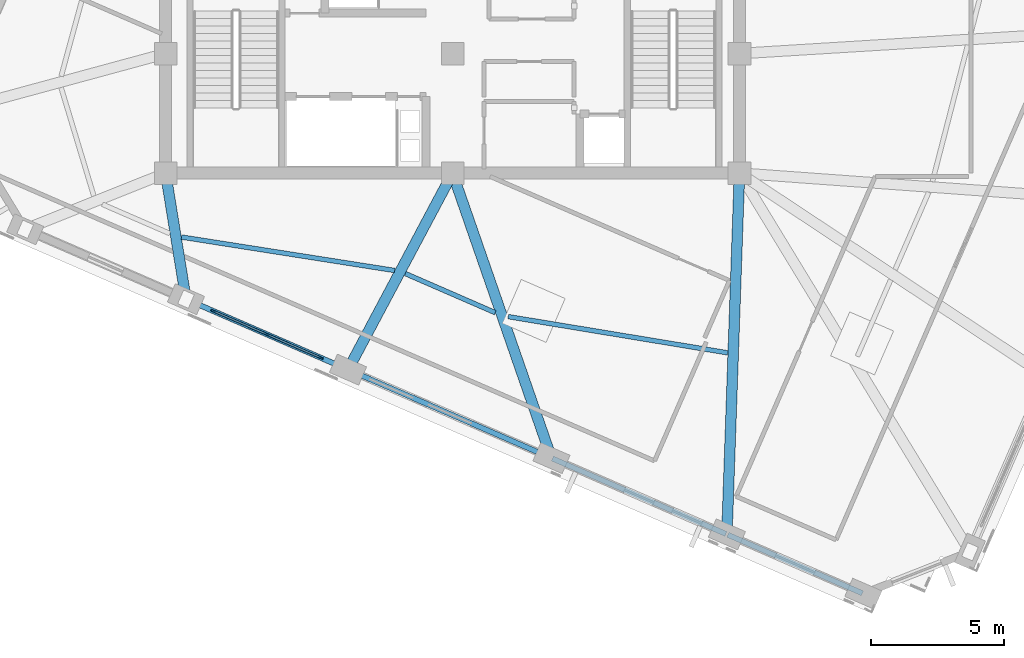
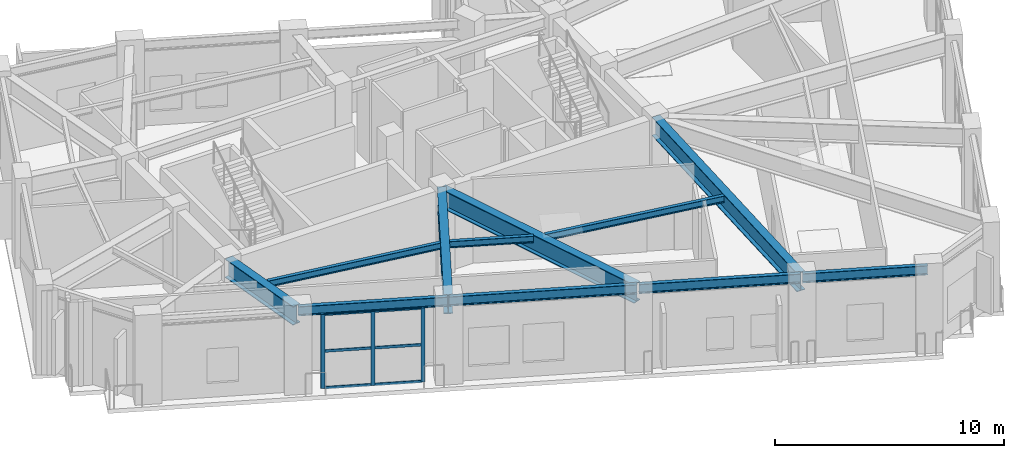
# One storey, part 2 of 16: 11 beams, 9 members, 1 element without a shape of its own.
"""IFC4 building model written with IfcOpenShell, lengths in metres."""

from ifc_helpers import new_model, si_unit, direction, frame, origin, origin_2d, place, context, subcontext, project, spatial, rectangle, i_section, extrude, material, material_profile, profile_set, type_object, element, aggregate, save


model = new_model("IFC4")

# Units and contexts
model_context = context("Model", 3, precision=1e-05, world=origin(), true_north=direction((0.0, 1.0)))
body_context = subcontext(model_context, "Body", "Model", "MODEL_VIEW")
ifc_project = project(units=[si_unit("LENGTHUNIT", "METRE"), si_unit("AREAUNIT", "SQUARE_METRE"), si_unit("VOLUMEUNIT", "CUBIC_METRE"), si_unit("PLANEANGLEUNIT", "RADIAN"), si_unit("MASSUNIT", "GRAM", prefix="KILO")], contexts=[model_context])

# Site, building, storey
site_placement = place(None, origin())
site = spatial("IfcSite", under=ifc_project, at=site_placement, CompositionType="ELEMENT")
building_placement = place(site_placement, origin())
building = spatial("IfcBuilding", under=site, at=building_placement, Name="Gaonmaruhae Medical Tower", CompositionType="ELEMENT")
storey_placement = place(building_placement, frame((0.0, 0.0, 333.39990234375)))
storey = spatial("IfcBuildingStorey", under=building, at=storey_placement, Name="L80", CompositionType="ELEMENT", Elevation=333.39990234375)

# Beams
ifc_material_1 = material(Name="Steel SM420", Category="steel")
ifc_material_profile_1 = material_profile(ifc_material_1, i_section(OverallWidth=0.39990234375, OverallDepth=1.0, WebThickness=0.02197265625, FlangeThickness=0.035888671875, at=origin_2d()), Name="BH-1000x400x22x36")
ifc_profile_set_1 = profile_set([ifc_material_profile_1], Name="Steel SM420")
beam_type_1 = type_object("IfcBeamType", Name="BG-02 Refuge Floor Primary Girder (BH-1000x400x22x36)", PredefinedType="BEAM", material=ifc_profile_set_1)
beam_1_placement = place(storey_placement, frame((14.008056640625, 7.750732421875, 4.0), z_axis=(0.159685869984, -0.987167879809, 0.0), x_axis=(0.987167879809, 0.159685869984, 0.0)))
element("IfcBeam", 1, at=beam_1_placement, inside=storey, type_object=beam_type_1, Name="L80 Radial Primary Girder W02", PredefinedType="BEAM", context=body_context, shape_type="SweptSolid", body=[
    extrude(i_section(OverallWidth=0.39990234375, OverallDepth=1.0, WebThickness=0.02197265625, FlangeThickness=0.035888671875, at=origin_2d()), origin(), (0.0, 0.0, 1.0), 4.705810546875),
])
beam_2_placement = place(storey_placement, frame((24.776611328125, 7.755859375, 4.0), z_axis=(-0.469618843189, -0.882869266722, 0.0), x_axis=(0.882869266722, -0.469618843189, 0.0)))
element("IfcBeam", 2, at=beam_2_placement, inside=storey, type_object=beam_type_1, Name="L80 Radial Primary Girder W03", PredefinedType="BEAM", context=body_context, shape_type="SweptSolid", body=[
    extrude(i_section(OverallWidth=0.39990234375, OverallDepth=1.0, WebThickness=0.02197265625, FlangeThickness=0.035888671875, at=origin_2d()), origin(), (0.0, 0.0, 1.0), 8.27685546875),
])
beam_3_placement = place(storey_placement, frame((24.81640625, 7.752685546875, 4.0), z_axis=(0.327964362011, -0.944690095878, 0.0), x_axis=(0.944690095878, 0.327964362011, 0.0)))
element("IfcBeam", 3, at=beam_3_placement, inside=storey, type_object=beam_type_1, Name="L80 Radial Primary Girder W04", PredefinedType="BEAM", context=body_context, shape_type="SweptSolid", body=[
    extrude(i_section(OverallWidth=0.39990234375, OverallDepth=1.0, WebThickness=0.02197265625, FlangeThickness=0.035888671875, at=origin_2d()), origin(), (0.0, 0.0, 1.0), 11.253173828125),
])
beam_4_placement = place(storey_placement, frame((35.59814453125, 7.75, 4.0), z_axis=(-0.034800997703, -0.99939426182, 0.0), x_axis=(0.99939426182, -0.034800997703, 0.0)))
element("IfcBeam", 4, at=beam_4_placement, inside=storey, type_object=beam_type_1, Name="L80 Radial Primary Girder W05", PredefinedType="BEAM", context=body_context, shape_type="SweptSolid", body=[
    extrude(i_section(OverallWidth=0.39990234375, OverallDepth=1.0, WebThickness=0.02197265625, FlangeThickness=0.035888671875, at=origin_2d()), origin(), (0.0, 0.0, 1.0), 13.504638671875),
])

# Curtain wall, members
ifc_material_2 = material(Name="Anodised aluminium and Low-E double glazing", Category="aluminium")
curtain_wall_type = type_object("IfcCurtainWallType", Name="CW-S5 Observation Crown Panorama Curtain Wall", PredefinedType="NOTDEFINED", material=ifc_material_2)
curtain_wall_placement = place(storey_placement, origin())
curtain_wall = element("IfcCurtainWall", 5, at=curtain_wall_placement, inside=storey, type_object=curtain_wall_type, Name="L80 Curtain Wall CW-L80-W02", PredefinedType="NOTDEFINED")
ifc_material_3 = material(Name="Anodised aluminium 6063-T6", Category="aluminium")
ifc_material_profile_2 = material_profile(ifc_material_3, rectangle(XDim=0.06494140625, YDim=0.179931640625, at=origin_2d()), Name="CWM-65x180")
ifc_profile_set_2 = profile_set([ifc_material_profile_2], Name="Anodised aluminium 6063-T6")
member_type_1 = type_object("IfcMemberType", Name="CWM-2 Tower Feature Curtain Wall Mullion (CWM-65x180)", PredefinedType="MULLION", material=ifc_profile_set_2)
member_1_placement = place(storey_placement, frame((19.8388671875, 0.850830078125, 0.0), z_axis=(0.0, 0.0, 1.0), x_axis=(-0.398760431066, -0.917055133902, 0.0)))
member_1 = element("IfcMember", 6, at=member_1_placement, type_object=member_type_1, Name="CW-S5 mullion 1", PredefinedType="MULLION", context=body_context, shape_type="SweptSolid", body=[
    extrude(rectangle(XDim=0.06494140625, YDim=0.179931640625, at=origin_2d()), origin(), (0.0, 0.0, 1.0), 3.985107421875),
])
member_2_placement = place(storey_placement, frame((17.81689453125, 1.72998046875, 0.0), z_axis=(0.0, 0.0, 1.0), x_axis=(-0.398760431066, -0.917055133902, 0.0)))
member_2 = element("IfcMember", 7, at=member_2_placement, type_object=member_type_1, Name="CW-S5 mullion 2", PredefinedType="MULLION", context=body_context, shape_type="SweptSolid", body=[
    extrude(rectangle(XDim=0.06494140625, YDim=0.179931640625, at=origin_2d()), origin(), (0.0, 0.0, 1.0), 3.985107421875),
])
member_3_placement = place(storey_placement, frame((15.794921875, 2.609375, 0.0), z_axis=(0.0, 0.0, 1.0), x_axis=(-0.398760431066, -0.917055133902, 0.0)))
member_3 = element("IfcMember", 8, at=member_3_placement, type_object=member_type_1, Name="CW-S5 mullion 3", PredefinedType="MULLION", context=body_context, shape_type="SweptSolid", body=[
    extrude(rectangle(XDim=0.06494140625, YDim=0.179931640625, at=origin_2d()), origin(), (0.0, 0.0, 1.0), 3.985107421875),
])
ifc_material_profile_3 = material_profile(ifc_material_3, rectangle(XDim=0.06494140625, YDim=0.139892578125, at=origin_2d()), Name="CWT-65x140")
ifc_profile_set_3 = profile_set([ifc_material_profile_3], Name="Anodised aluminium 6063-T6")
member_type_2 = type_object("IfcMemberType", Name="CWT-2 Tower Feature Curtain Wall Transom (CWT-65x140)", PredefinedType="USERDEFINED", material=ifc_profile_set_3)
member_4_placement = place(storey_placement, frame((19.80908203125, 0.86376953125, 0.03271484375), z_axis=(-0.917060986804, 0.3987469705, 0.0), x_axis=(-0.3987469705, -0.917060986804, 0.0)))
member_4 = element("IfcMember", 9, at=member_4_placement, type_object=member_type_2, Name="CW-S5 transom 1.1", ObjectType="TRANSOM", PredefinedType="USERDEFINED", context=body_context, shape_type="SweptSolid", body=[
    extrude(rectangle(XDim=0.06494140625, YDim=0.139892578125, at=origin_2d()), origin(), (0.0, 0.0, 1.0), 2.139892578125),
])
member_5_placement = place(storey_placement, frame((19.80908203125, 0.86376953125, 1.99267578125), z_axis=(-0.917060986804, 0.3987469705, 0.0), x_axis=(-0.3987469705, -0.917060986804, 0.0)))
member_5 = element("IfcMember", 10, at=member_5_placement, type_object=member_type_2, Name="CW-S5 transom 1.2", ObjectType="TRANSOM", PredefinedType="USERDEFINED", context=body_context, shape_type="SweptSolid", body=[
    extrude(rectangle(XDim=0.06494140625, YDim=0.139892578125, at=origin_2d()), origin(), (0.0, 0.0, 1.0), 2.139892578125),
])
member_6_placement = place(storey_placement, frame((19.80908203125, 0.86376953125, 3.95263671875), z_axis=(-0.917060986804, 0.3987469705, 0.0), x_axis=(-0.3987469705, -0.917060986804, 0.0)))
member_6 = element("IfcMember", 11, at=member_6_placement, type_object=member_type_2, Name="CW-S5 transom 1.3", ObjectType="TRANSOM", PredefinedType="USERDEFINED", context=body_context, shape_type="SweptSolid", body=[
    extrude(rectangle(XDim=0.06494140625, YDim=0.139892578125, at=origin_2d()), origin(), (0.0, 0.0, 1.0), 2.139892578125),
])
member_7_placement = place(storey_placement, frame((17.787109375, 1.7431640625, 0.03271484375), z_axis=(-0.917060986804, 0.3987469705, 0.0), x_axis=(-0.3987469705, -0.917060986804, 0.0)))
member_7 = element("IfcMember", 12, at=member_7_placement, type_object=member_type_2, Name="CW-S5 transom 2.1", ObjectType="TRANSOM", PredefinedType="USERDEFINED", context=body_context, shape_type="SweptSolid", body=[
    extrude(rectangle(XDim=0.06494140625, YDim=0.139892578125, at=origin_2d()), origin(), (0.0, 0.0, 1.0), 2.139892578125),
])
member_8_placement = place(storey_placement, frame((17.787109375, 1.7431640625, 1.99267578125), z_axis=(-0.917060986804, 0.3987469705, 0.0), x_axis=(-0.3987469705, -0.917060986804, 0.0)))
member_8 = element("IfcMember", 13, at=member_8_placement, type_object=member_type_2, Name="CW-S5 transom 2.2", ObjectType="TRANSOM", PredefinedType="USERDEFINED", context=body_context, shape_type="SweptSolid", body=[
    extrude(rectangle(XDim=0.06494140625, YDim=0.139892578125, at=origin_2d()), origin(), (0.0, 0.0, 1.0), 2.139892578125),
])
member_9_placement = place(storey_placement, frame((17.787109375, 1.7431640625, 3.95263671875), z_axis=(-0.917060986804, 0.3987469705, 0.0), x_axis=(-0.3987469705, -0.917060986804, 0.0)))
member_9 = element("IfcMember", 14, at=member_9_placement, type_object=member_type_2, Name="CW-S5 transom 2.3", ObjectType="TRANSOM", PredefinedType="USERDEFINED", context=body_context, shape_type="SweptSolid", body=[
    extrude(rectangle(XDim=0.06494140625, YDim=0.139892578125, at=origin_2d()), origin(), (0.0, 0.0, 1.0), 2.139892578125),
])
aggregate(curtain_wall, [member_1, member_2, member_3, member_4, member_5, member_6, member_7, member_8, member_9])

# Beams
ifc_material_4 = material(Name="Steel SM355", Category="steel")
ifc_material_profile_4 = material_profile(ifc_material_4, i_section(OverallWidth=0.175048828125, OverallDepth=0.35009765625, WebThickness=0.007080078125, FlangeThickness=0.010986328125, FilletRadius=0.012939453125, at=origin_2d()), Name="H-350x175x7x11")
ifc_profile_set_4 = profile_set([ifc_material_profile_4], Name="Steel SM355")
beam_type_2 = type_object("IfcBeamType", Name="FJ-02 Upper Zone Ward Floor Joist (H-350x175x7x11)", PredefinedType="JOIST", material=ifc_profile_set_4)
beam_5_placement = place(storey_placement, frame((14.59765625, 5.39453125, 4.3251953125), z_axis=(0.9879068852, -0.15504833496, 0.0), x_axis=(0.15504833496, 0.9879068852, 0.0)))
element("IfcBeam", 15, at=beam_5_placement, inside=storey, type_object=beam_type_2, Name="L80 Secondary Floor Joist FJ16", PredefinedType="JOIST", context=body_context, shape_type="SweptSolid", body=[
    extrude(i_section(OverallWidth=0.175048828125, OverallDepth=0.35009765625, WebThickness=0.007080078125, FlangeThickness=0.010986328125, FilletRadius=0.012939453125, at=origin_2d()), origin(), (0.0, 0.0, 1.0), 8.11865234375),
])
beam_6_placement = place(storey_placement, frame((23.0224609375, 4.019775390625, 4.3251953125), z_axis=(0.91705533197, -0.398759975555, 0.0), x_axis=(0.398759975555, 0.91705533197, 0.0)))
element("IfcBeam", 16, at=beam_6_placement, inside=storey, type_object=beam_type_2, Name="L80 Secondary Floor Joist FJ17", PredefinedType="JOIST", context=body_context, shape_type="SweptSolid", body=[
    extrude(i_section(OverallWidth=0.175048828125, OverallDepth=0.35009765625, WebThickness=0.007080078125, FlangeThickness=0.010986328125, FilletRadius=0.012939453125, at=origin_2d()), origin(), (0.0, 0.0, 1.0), 3.690673828125),
])
beam_7_placement = place(storey_placement, frame((26.892333984375, 2.3994140625, 4.3251953125), z_axis=(0.986661186603, -0.162787293274, 0.0), x_axis=(0.162787293274, 0.986661186603, 0.0)))
element("IfcBeam", 17, at=beam_7_placement, inside=storey, type_object=beam_type_2, Name="L80 Secondary Floor Joist FJ18", PredefinedType="JOIST", context=body_context, shape_type="SweptSolid", body=[
    extrude(i_section(OverallWidth=0.175048828125, OverallDepth=0.35009765625, WebThickness=0.007080078125, FlangeThickness=0.010986328125, FilletRadius=0.012939453125, at=origin_2d()), origin(), (0.0, 0.0, 1.0), 8.377685546875),
])
ifc_material_profile_5 = material_profile(ifc_material_4, i_section(OverallWidth=0.199951171875, OverallDepth=0.5, WebThickness=0.010009765625, FlangeThickness=0.01611328125, FilletRadius=0.012939453125, at=origin_2d()), Name="H-500x200x10x16")
ifc_profile_set_5 = profile_set([ifc_material_profile_5], Name="Steel SM355")
beam_type_3 = type_object("IfcBeamType", Name="SP-02 Upper Perimeter Spandrel Beam (H-500x200x10x16)", PredefinedType="SPANDREL", material=ifc_profile_set_5)
beam_8_placement = place(storey_placement, frame((14.80419921875, 3.0400390625, 4.25), z_axis=(0.917056468028, -0.398757362876, 0.0), x_axis=(0.398757362876, 0.917056468028, 0.0)))
element("IfcBeam", 18, at=beam_8_placement, inside=storey, type_object=beam_type_3, Name="L80 Perimeter Spandrel Beam W02-W03", PredefinedType="SPANDREL", context=body_context, shape_type="SweptSolid", body=[
    extrude(i_section(OverallWidth=0.199951171875, OverallDepth=0.5, WebThickness=0.010009765625, FlangeThickness=0.01611328125, FilletRadius=0.012939453125, at=origin_2d()), origin(), (0.0, 0.0, 1.0), 6.570068359375),
])
beam_9_placement = place(storey_placement, frame((20.90283203125, 0.388427734375, 4.25), z_axis=(0.917049404199, -0.398773607775, 0.0), x_axis=(0.398773607775, 0.917049404199, 0.0)))
element("IfcBeam", 19, at=beam_9_placement, inside=storey, type_object=beam_type_3, Name="L80 Perimeter Spandrel Beam W03-W04", PredefinedType="SPANDREL", context=body_context, shape_type="SweptSolid", body=[
    extrude(i_section(OverallWidth=0.199951171875, OverallDepth=0.5, WebThickness=0.010009765625, FlangeThickness=0.01611328125, FilletRadius=0.012939453125, at=origin_2d()), origin(), (0.0, 0.0, 1.0), 8.27001953125),
])
beam_10_placement = place(storey_placement, frame((28.560302734375, -2.941162109375, 4.25), z_axis=(0.917055336493, -0.398759965154, 0.0), x_axis=(0.398759965154, 0.917055336493, 0.0)))
element("IfcBeam", 20, at=beam_10_placement, inside=storey, type_object=beam_type_3, Name="L80 Perimeter Spandrel Beam W04-W05", PredefinedType="SPANDREL", context=body_context, shape_type="SweptSolid", body=[
    extrude(i_section(OverallWidth=0.199951171875, OverallDepth=0.5, WebThickness=0.010009765625, FlangeThickness=0.01611328125, FilletRadius=0.012939453125, at=origin_2d()), origin(), (0.0, 0.0, 1.0), 7.119873046875),
])
beam_11_placement = place(storey_placement, frame((35.1630859375, -5.812255859375, 4.25), z_axis=(0.917050366415, -0.398771394984, 0.0), x_axis=(0.398771394984, 0.917050366415, 0.0)))
element("IfcBeam", 21, at=beam_11_placement, inside=storey, type_object=beam_type_3, Name="L80 Perimeter Spandrel Beam W05-W06", PredefinedType="SPANDREL", context=body_context, shape_type="SweptSolid", body=[
    extrude(i_section(OverallWidth=0.199951171875, OverallDepth=0.5, WebThickness=0.010009765625, FlangeThickness=0.01611328125, FilletRadius=0.012939453125, at=origin_2d()), origin(), (0.0, 0.0, 1.0), 5.519775390625),
])

save(model, "model.ifc")
